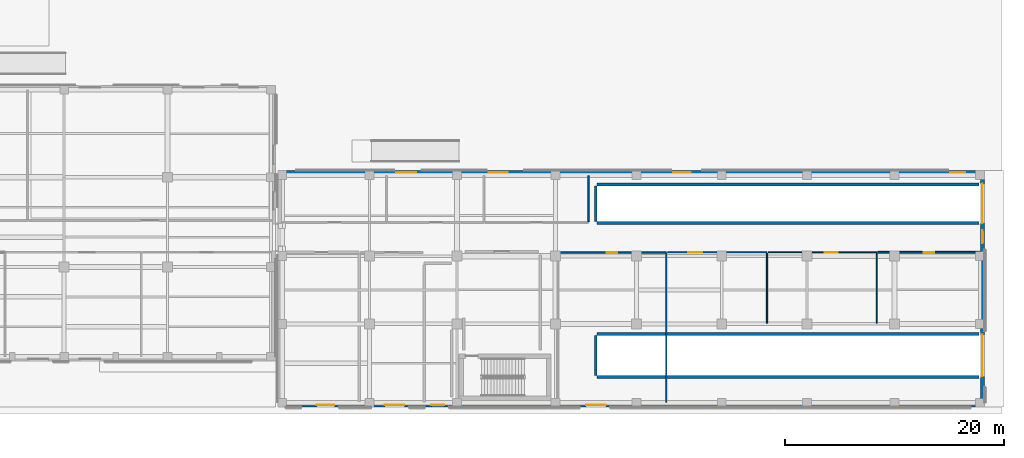
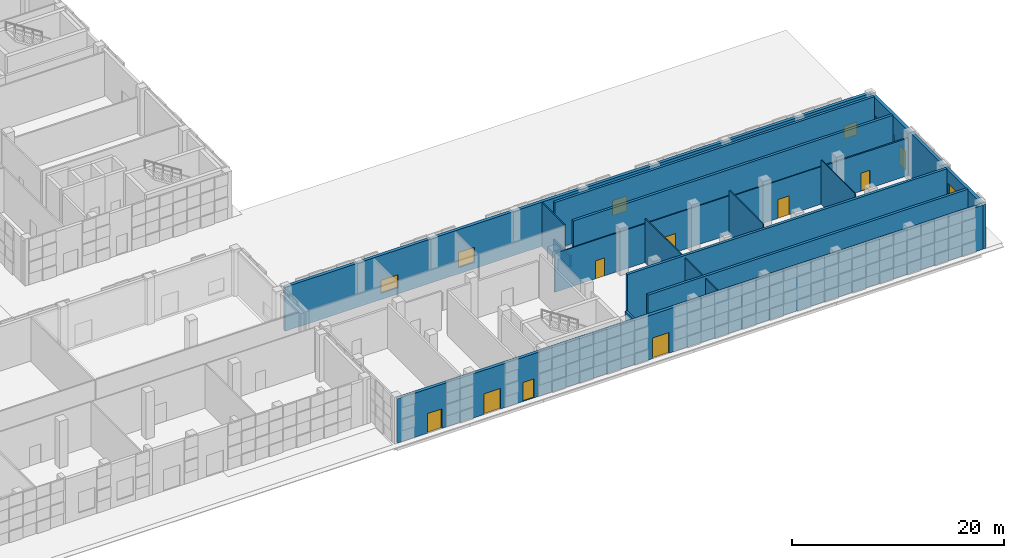
# One storey, part 17 of 40: 17 walls, 11 doors, 4 windows, 15 openings.
"""IFC4 building model written with IfcOpenShell, lengths in metres."""

from ifc_helpers import new_model, si_unit, direction, frame, frame_2d, origin, place, context, subcontext, project, spatial, rectangle, extrude, material, layer, layer_set, type_object, element, fill, save


model = new_model("IFC4")

# Units and contexts
model_context = context("Model", 3, precision=1e-05, world=origin(), true_north=direction((0.0, 1.0)))
body_context = subcontext(model_context, "Body", "Model", "MODEL_VIEW")
ifc_project = project(units=[si_unit("LENGTHUNIT", "METRE"), si_unit("AREAUNIT", "SQUARE_METRE"), si_unit("VOLUMEUNIT", "CUBIC_METRE"), si_unit("PLANEANGLEUNIT", "RADIAN"), si_unit("MASSUNIT", "GRAM", prefix="KILO")], contexts=[model_context])

# Site, building, storey
site_placement = place(None, origin())
site = spatial("IfcSite", under=ifc_project, at=site_placement, CompositionType="ELEMENT")
building_placement = place(site_placement, origin())
building = spatial("IfcBuilding", under=site, at=building_placement, Name="Qalavern Law Courts", CompositionType="ELEMENT")
storey_placement = place(building_placement, origin())
storey = spatial("IfcBuildingStorey", under=building, at=storey_placement, Name="L00", CompositionType="ELEMENT", Elevation=0.0)

# Wall, openings, doors
ifc_material_1 = material(Name="Concrete C40/50", Category="concrete")
ifc_layer_1 = layer(ifc_material_1, 0.340087890625)
ifc_layer_set_1 = layer_set([ifc_layer_1], Name="Concrete C40/50")
wall_type_1 = type_object("IfcWallType", Name="ENV-EW-340", PredefinedType="SOLIDWALL", material=ifc_layer_set_1)
wall_1_placement = place(storey_placement, frame((101.7548828125, 1.169921875, 0.0), z_axis=(0.0, 0.0, 1.0), x_axis=(1.0, 0.0, 0.0)))
wall_1 = element("IfcWall", 1, at=wall_1_placement, inside=storey, type_object=wall_type_1, Name="V6 exterior wall L00 south 1", PredefinedType="SOLIDWALL", context=body_context, shape_type="SweptSolid", body=[
    extrude(rectangle(XDim=63.91015625, YDim=0.340087890625, at=frame_2d((31.955078125, 0.0))), origin(), (0.0, 0.0, 1.0), 5.10009765625),
])
opening_1_placement = place(wall_1_placement, frame((3.2451171875, 0.0, 0.0)))
opening_1 = element("IfcOpeningElement", 2, at=opening_1_placement, cuts=wall_1, Name="Opening ED-FCR-01", PredefinedType="OPENING", context=body_context, shape_type="SweptSolid", body=[
    extrude(rectangle(XDim=1.60009765625, YDim=2.260009765625, at=frame_2d((0.800048828125, 1.1298828125))), frame((0.0, 0.18505859375, 0.0), z_axis=(0.0, -1.0, 0.0), x_axis=(1.0, 0.0, 0.0)), (0.0, 0.0, 1.0), 0.369873046875),
])
opening_2_placement = place(wall_1_placement, frame((9.445068359375, 0.0, 0.0)))
opening_2 = element("IfcOpeningElement", 3, at=opening_2_placement, cuts=wall_1, Name="Opening ED-MED-V6A", PredefinedType="OPENING", context=body_context, shape_type="SweptSolid", body=[
    extrude(rectangle(XDim=1.800048828125, YDim=2.3798828125, at=frame_2d((0.89990234375, 1.18994140625))), frame((0.0, 0.18505859375, 0.0), z_axis=(0.0, -1.0, 0.0), x_axis=(1.0, 0.0, 0.0)), (0.0, 0.0, 1.0), 0.369873046875),
])
opening_3_placement = place(wall_1_placement, frame((13.695068359375, 0.0, 0.0)))
opening_3 = element("IfcOpeningElement", 4, at=opening_3_placement, cuts=wall_1, Name="Opening ED-ST-K5", PredefinedType="OPENING", context=body_context, shape_type="SweptSolid", body=[
    extrude(rectangle(XDim=1.199951171875, YDim=2.199951171875, at=frame_2d((0.60009765625, 1.10009765625))), frame((0.0, 0.18505859375, 0.0), z_axis=(0.0, -1.0, 0.0), x_axis=(1.0, 0.0, 0.0)), (0.0, 0.0, 1.0), 0.369873046875),
])
opening_4_placement = place(wall_1_placement, frame((27.844970703125, 0.0, 0.0)))
opening_4 = element("IfcOpeningElement", 5, at=opening_4_placement, cuts=wall_1, Name="Opening ED-MED-V6", PredefinedType="OPENING", context=body_context, shape_type="SweptSolid", body=[
    extrude(rectangle(XDim=1.800048828125, YDim=2.3798828125, at=frame_2d((0.89990234375, 1.18994140625))), frame((0.0, 0.18505859375, 0.0), z_axis=(0.0, -1.0, 0.0), x_axis=(1.0, 0.0, 0.0)), (0.0, 0.0, 1.0), 0.369873046875),
])
ifc_material_2 = material(Name="Thermally broken anodised aluminium and laminated safety glass", Category="aluminium")
door_type_1 = type_object("IfcDoorType", Name="ENV-ED-1200x2200", OperationType="NOTDEFINED", PredefinedType="DOOR", material=ifc_material_2)
door_1_placement = place(opening_3_placement, frame((1.199951171875, 0.0, 0.0), z_axis=(0.0, 0.0, 1.0), x_axis=(-1.0, 0.0, 0.0)))
door_1 = element("IfcDoor", 6, at=door_1_placement, inside=storey, type_object=door_type_1, Name="Ground pedestrian exit door ED-ST-K5", OperationType="SINGLE_SWING_LEFT", OverallHeight=2.199951171875, OverallWidth=1.199951171875, PredefinedType="DOOR", context=body_context, shape_type="SweptSolid", body=[
    extrude(rectangle(XDim=1.199951171875, YDim=2.199951171875, at=frame_2d((0.60009765625, 1.10009765625))), frame((0.0, 0.02490234375, 0.0), z_axis=(0.0, -1.0, 0.0), x_axis=(1.0, 0.0, 0.0)), (0.0, 0.0, 1.0), 0.050048828125),
])
fill(opening_3, door_1)
door_type_2 = type_object("IfcDoorType", Name="ENV-ED-1600x2260", OperationType="DOUBLE_DOOR_SINGLE_SWING", PredefinedType="DOOR", material=ifc_material_2)
door_2_placement = place(opening_1_placement, frame((1.60009765625, 0.0, 0.0), z_axis=(0.0, 0.0, 1.0), x_axis=(-1.0, 0.0, 0.0)))
door_2 = element("IfcDoor", 7, at=door_2_placement, inside=storey, type_object=door_type_2, Name="Ground pedestrian exit door ED-FCR-01", OperationType="DOUBLE_DOOR_SINGLE_SWING", OverallHeight=2.260009765625, OverallWidth=1.60009765625, PredefinedType="DOOR", context=body_context, shape_type="SweptSolid", body=[
    extrude(rectangle(XDim=1.60009765625, YDim=2.260009765625, at=frame_2d((0.800048828125, 1.1298828125))), frame((0.0, 0.02490234375, 0.0), z_axis=(0.0, -1.0, 0.0), x_axis=(1.0, 0.0, 0.0)), (0.0, 0.0, 1.0), 0.050048828125),
])
fill(opening_1, door_2)
door_type_3 = type_object("IfcDoorType", Name="ENV-ED-1800x2380", OperationType="DOUBLE_DOOR_SINGLE_SWING", PredefinedType="DOOR", material=ifc_material_2)
door_3_placement = place(opening_2_placement, frame((1.800048828125, 0.0, 0.0), z_axis=(0.0, 0.0, 1.0), x_axis=(-1.0, 0.0, 0.0)))
door_3 = element("IfcDoor", 8, at=door_3_placement, inside=storey, type_object=door_type_3, Name="Ground pedestrian exit door ED-MED-V6A", OperationType="DOUBLE_DOOR_SINGLE_SWING", OverallHeight=2.3798828125, OverallWidth=1.800048828125, PredefinedType="DOOR", context=body_context, shape_type="SweptSolid", body=[
    extrude(rectangle(XDim=1.800048828125, YDim=2.3798828125, at=frame_2d((0.89990234375, 1.18994140625))), frame((0.0, 0.02490234375, 0.0), z_axis=(0.0, -1.0, 0.0), x_axis=(1.0, 0.0, 0.0)), (0.0, 0.0, 1.0), 0.050048828125),
])
fill(opening_2, door_3)
door_4_placement = place(opening_4_placement, frame((1.800048828125, 0.0, 0.0), z_axis=(0.0, 0.0, 1.0), x_axis=(-1.0, 0.0, 0.0)))
door_4 = element("IfcDoor", 9, at=door_4_placement, inside=storey, type_object=door_type_3, Name="Ground pedestrian exit door ED-MED-V6", OperationType="DOUBLE_DOOR_SINGLE_SWING", OverallHeight=2.3798828125, OverallWidth=1.800048828125, PredefinedType="DOOR", context=body_context, shape_type="SweptSolid", body=[
    extrude(rectangle(XDim=1.800048828125, YDim=2.3798828125, at=frame_2d((0.89990234375, 1.18994140625))), frame((0.0, 0.02490234375, 0.0), z_axis=(0.0, -1.0, 0.0), x_axis=(1.0, 0.0, 0.0)), (0.0, 0.0, 1.0), 0.050048828125),
])
fill(opening_4, door_4)

wall_2_placement = place(storey_placement, frame((165.830078125, 1.0, 0.0), z_axis=(0.0, 0.0, 1.0), x_axis=(0.0, 1.0, 0.0)))
wall_2 = element("IfcWall", 10, at=wall_2_placement, inside=storey, type_object=wall_type_1, Name="V6 exterior wall L00 east 1", PredefinedType="SOLIDWALL", context=body_context, shape_type="SweptSolid", body=[
    extrude(rectangle(XDim=21.60009765625, YDim=0.340087890625, at=frame_2d((10.800048828125, 0.0))), origin(), (0.0, 0.0, 1.0), 5.10009765625),
])
opening_5_placement = place(wall_2_placement, frame((16.800048828125, 0.0, 0.0)))
opening_5 = element("IfcOpeningElement", 11, at=opening_5_placement, cuts=wall_2, Name="Opening VG-01", PredefinedType="OPENING", context=body_context, shape_type="SweptSolid", body=[
    extrude(rectangle(XDim=3.60009765625, YDim=3.0, at=frame_2d((1.800048828125, 1.5))), frame((0.0, 0.18505859375, 0.0), z_axis=(0.0, -1.0, 0.0), x_axis=(1.0, 0.0, 0.0)), (0.0, 0.0, 1.0), 0.369873046875),
])
opening_6_placement = place(wall_2_placement, frame((2.800048828125, 0.0, 0.0)))
opening_6 = element("IfcOpeningElement", 12, at=opening_6_placement, cuts=wall_2, Name="Opening VG-02", PredefinedType="OPENING", context=body_context, shape_type="SweptSolid", body=[
    extrude(rectangle(XDim=3.800048828125, YDim=3.60009765625, at=frame_2d((1.89990234375, 1.800048828125))), frame((0.0, 0.18505859375, 0.0), z_axis=(0.0, -1.0, 0.0), x_axis=(1.0, 0.0, 0.0)), (0.0, 0.0, 1.0), 0.369873046875),
])
opening_7_placement = place(wall_2_placement, frame((14.949951171875, 0.0, 0.0)))
opening_7 = element("IfcOpeningElement", 13, at=opening_7_placement, cuts=wall_2, Name="Opening ED-CORR-V6E", PredefinedType="OPENING", context=body_context, shape_type="SweptSolid", body=[
    extrude(rectangle(XDim=1.199951171875, YDim=2.199951171875, at=frame_2d((0.60009765625, 1.10009765625))), frame((0.0, 0.18505859375, 0.0), z_axis=(0.0, -1.0, 0.0), x_axis=(1.0, 0.0, 0.0)), (0.0, 0.0, 1.0), 0.369873046875),
])
door_5_placement = place(opening_7_placement, frame((1.199951171875, 0.0, 0.0), z_axis=(0.0, 0.0, 1.0), x_axis=(-1.0, 0.0, 0.0)))
door_5 = element("IfcDoor", 14, at=door_5_placement, inside=storey, type_object=door_type_1, Name="Ground pedestrian exit door ED-CORR-V6E", OperationType="SINGLE_SWING_LEFT", OverallHeight=2.199951171875, OverallWidth=1.199951171875, PredefinedType="DOOR", context=body_context, shape_type="SweptSolid", body=[
    extrude(rectangle(XDim=1.199951171875, YDim=2.199951171875, at=frame_2d((0.60009765625, 1.10009765625))), frame((0.0, 0.02490234375, 0.0), z_axis=(0.0, -1.0, 0.0), x_axis=(1.0, 0.0, 0.0)), (0.0, 0.0, 1.0), 0.050048828125),
])
fill(opening_7, door_5)
ifc_material_3 = material(Name="Galvanised steel insulated security slats", Category="steel")
door_type_4 = type_object("IfcDoorType", Name="ENV-VG-3600x3000", OperationType="ROLLINGUP", PredefinedType="DOOR", material=ifc_material_3)
door_6_placement = place(opening_5_placement, frame((3.60009765625, 0.0, 0.0), z_axis=(0.0, 0.0, 1.0), x_axis=(-1.0, 0.0, 0.0)))
door_6 = element("IfcDoor", 15, at=door_6_placement, inside=storey, type_object=door_type_4, Name="Vehicle ramp roller shutter gate VG-01", OperationType="ROLLINGUP", OverallHeight=3.0, OverallWidth=3.60009765625, PredefinedType="DOOR", context=body_context, shape_type="SweptSolid", body=[
    extrude(rectangle(XDim=3.60009765625, YDim=3.0, at=frame_2d((1.800048828125, 1.5))), frame((0.0, 0.02490234375, 0.0), z_axis=(0.0, -1.0, 0.0), x_axis=(1.0, 0.0, 0.0)), (0.0, 0.0, 1.0), 0.050048828125),
])
fill(opening_5, door_6)
door_type_5 = type_object("IfcDoorType", Name="ENV-VG-3800x3600", OperationType="ROLLINGUP", PredefinedType="DOOR", material=ifc_material_3)
door_7_placement = place(opening_6_placement, frame((3.800048828125, 0.0, 0.0), z_axis=(0.0, 0.0, 1.0), x_axis=(-1.0, 0.0, 0.0)))
door_7 = element("IfcDoor", 16, at=door_7_placement, inside=storey, type_object=door_type_5, Name="Vehicle ramp roller shutter gate VG-02", OperationType="ROLLINGUP", OverallHeight=3.60009765625, OverallWidth=3.800048828125, PredefinedType="DOOR", context=body_context, shape_type="SweptSolid", body=[
    extrude(rectangle(XDim=3.800048828125, YDim=3.60009765625, at=frame_2d((1.89990234375, 1.800048828125))), frame((0.0, 0.02490234375, 0.0), z_axis=(0.0, -1.0, 0.0), x_axis=(1.0, 0.0, 0.0)), (0.0, 0.0, 1.0), 0.050048828125),
])
fill(opening_6, door_7)

# Wall, openings, windows
wall_3_placement = place(storey_placement, frame((165.6650390625, 22.429931640625, 0.0), z_axis=(0.0, 0.0, 1.0), x_axis=(-1.0, 0.0, 0.0)))
wall_3 = element("IfcWall", 17, at=wall_3_placement, inside=storey, type_object=wall_type_1, Name="V6 exterior wall L00 north 1", PredefinedType="SOLIDWALL", context=body_context, shape_type="SweptSolid", body=[
    extrude(rectangle(XDim=63.91015625, YDim=0.340087890625, at=frame_2d((31.955078125, 0.0))), origin(), (0.0, 0.0, 1.0), 5.10009765625),
])
opening_8_placement = place(wall_3_placement, frame((1.39990234375, 0.0, 0.719970703125)))
opening_8 = element("IfcOpeningElement", 18, at=opening_8_placement, cuts=wall_3, Name="Opening WN-03", PredefinedType="OPENING", context=body_context, shape_type="SweptSolid", body=[
    extrude(rectangle(XDim=1.39990234375, YDim=1.5, at=frame_2d((0.699951171875, 0.75))), frame((0.0, 0.18505859375, 0.0), z_axis=(0.0, -1.0, 0.0), x_axis=(1.0, 0.0, 0.0)), (0.0, 0.0, 1.0), 0.369873046875),
])
opening_9_placement = place(wall_3_placement, frame((26.5, 0.0, 0.719970703125)))
opening_9 = element("IfcOpeningElement", 19, at=opening_9_placement, cuts=wall_3, Name="Opening WN-12", PredefinedType="OPENING", context=body_context, shape_type="SweptSolid", body=[
    extrude(rectangle(XDim=1.60009765625, YDim=1.75, at=frame_2d((0.800048828125, 0.875))), frame((0.0, 0.18505859375, 0.0), z_axis=(0.0, -1.0, 0.0), x_axis=(1.0, 0.0, 0.0)), (0.0, 0.0, 1.0), 0.369873046875),
])
opening_10_placement = place(wall_3_placement, frame((43.22509765625, 0.0, 0.719970703125)))
opening_10 = element("IfcOpeningElement", 20, at=opening_10_placement, cuts=wall_3, Name="Opening WN-13", PredefinedType="OPENING", context=body_context, shape_type="SweptSolid", body=[
    extrude(rectangle(XDim=1.75, YDim=1.75, at=frame_2d((0.875, 0.875))), frame((0.0, 0.18505859375, 0.0), z_axis=(0.0, -1.0, 0.0), x_axis=(1.0, 0.0, 0.0)), (0.0, 0.0, 1.0), 0.369873046875),
])
opening_11_placement = place(wall_3_placement, frame((51.574951171875, 0.0, 0.719970703125)))
opening_11 = element("IfcOpeningElement", 21, at=opening_11_placement, cuts=wall_3, Name="Opening WN-06", PredefinedType="OPENING", context=body_context, shape_type="SweptSolid", body=[
    extrude(rectangle(XDim=1.85009765625, YDim=1.5, at=frame_2d((0.925048828125, 0.75))), frame((0.0, 0.18505859375, 0.0), z_axis=(0.0, -1.0, 0.0), x_axis=(1.0, 0.0, 0.0)), (0.0, 0.0, 1.0), 0.369873046875),
])
ifc_material_4 = material(Name="Anodised aluminium frame with low-E double glazing", Category="aluminium")
window_type_1 = type_object("IfcWindowType", Name="ENV-WIN-1400x1500", PartitioningType="SINGLE_PANEL", PredefinedType="WINDOW", material=ifc_material_4)
window_1_placement = place(opening_8_placement, origin())
window_1 = element("IfcWindow", 22, at=window_1_placement, inside=storey, type_object=window_type_1, Name="V6 window L00 north 1", OverallHeight=1.5, OverallWidth=1.39990234375, PartitioningType="SINGLE_PANEL", PredefinedType="WINDOW", context=body_context, shape_type="SweptSolid", body=[
    extrude(rectangle(XDim=1.39990234375, YDim=1.5, at=frame_2d((0.699951171875, 0.75))), frame((0.0, 0.030029296875, 0.0), z_axis=(0.0, -1.0, 0.0), x_axis=(1.0, 0.0, 0.0)), (0.0, 0.0, 1.0), 0.06005859375),
])
fill(opening_8, window_1)
window_type_2 = type_object("IfcWindowType", Name="ENV-WIN-1600x1750", PartitioningType="SINGLE_PANEL", PredefinedType="WINDOW", material=ifc_material_4)
window_2_placement = place(opening_9_placement, origin())
window_2 = element("IfcWindow", 23, at=window_2_placement, inside=storey, type_object=window_type_2, Name="V6 window L00 north 7", OverallHeight=1.75, OverallWidth=1.60009765625, PartitioningType="SINGLE_PANEL", PredefinedType="WINDOW", context=body_context, shape_type="SweptSolid", body=[
    extrude(rectangle(XDim=1.60009765625, YDim=1.75, at=frame_2d((0.800048828125, 0.875))), frame((0.0, 0.030029296875, 0.0), z_axis=(0.0, -1.0, 0.0), x_axis=(1.0, 0.0, 0.0)), (0.0, 0.0, 1.0), 0.06005859375),
])
fill(opening_9, window_2)
window_type_3 = type_object("IfcWindowType", Name="ENV-WIN-1750x1750", PartitioningType="SINGLE_PANEL", PredefinedType="WINDOW", material=ifc_material_4)
window_3_placement = place(opening_10_placement, origin())
window_3 = element("IfcWindow", 24, at=window_3_placement, inside=storey, type_object=window_type_3, Name="V6 window L00 north 11", OverallHeight=1.75, OverallWidth=1.75, PartitioningType="SINGLE_PANEL", PredefinedType="WINDOW", context=body_context, shape_type="SweptSolid", body=[
    extrude(rectangle(XDim=1.75, YDim=1.75, at=frame_2d((0.875, 0.875))), frame((0.0, 0.030029296875, 0.0), z_axis=(0.0, -1.0, 0.0), x_axis=(1.0, 0.0, 0.0)), (0.0, 0.0, 1.0), 0.06005859375),
])
fill(opening_10, window_3)
window_type_4 = type_object("IfcWindowType", Name="ENV-WIN-1850x1500", PartitioningType="SINGLE_PANEL", PredefinedType="WINDOW", material=ifc_material_4)
window_4_placement = place(opening_11_placement, origin())
window_4 = element("IfcWindow", 25, at=window_4_placement, inside=storey, type_object=window_type_4, Name="V6 window L00 north 13", OverallHeight=1.5, OverallWidth=1.85009765625, PartitioningType="SINGLE_PANEL", PredefinedType="WINDOW", context=body_context, shape_type="SweptSolid", body=[
    extrude(rectangle(XDim=1.85009765625, YDim=1.5, at=frame_2d((0.925048828125, 0.75))), frame((0.0, 0.030029296875, 0.0), z_axis=(0.0, -1.0, 0.0), x_axis=(1.0, 0.0, 0.0)), (0.0, 0.0, 1.0), 0.06005859375),
])
fill(opening_11, window_4)

# Walls
ifc_layer_2 = layer(ifc_material_1, 0.22509765625)
ifc_layer_set_2 = layer_set([ifc_layer_2], Name="Concrete C40/50")
wall_type_2 = type_object("IfcWallType", Name="INT-FW-225", PredefinedType="PARTITIONING", material=ifc_layer_set_2)
wall_4_placement = place(storey_placement, frame((130.47998046875, 17.97998046875, 0.0), z_axis=(0.0, 0.0, 1.0), x_axis=(0.0, 1.0, 0.0)))
element("IfcWall", 26, at=wall_4_placement, inside=storey, type_object=wall_type_2, Name="Car Park Vehicle Ramp VG-01 Upper opening head guard wall L00", PredefinedType="PARTITIONING", context=body_context, shape_type="SweptSolid", body=[
    extrude(rectangle(XDim=3.239990234375, YDim=0.22509765625, at=frame_2d((1.6201171875, 0.0))), origin(), (0.0, 0.0, 1.0), 1.25),
])
wall_5_placement = place(storey_placement, frame((130.47998046875, 3.8798828125, 0.0), z_axis=(0.0, 0.0, 1.0), x_axis=(0.0, 1.0, 0.0)))
element("IfcWall", 27, at=wall_5_placement, inside=storey, type_object=wall_type_2, Name="Secure Sallyport Vehicle Ramp VG-02 opening head guard wall L00", PredefinedType="PARTITIONING", context=body_context, shape_type="SweptSolid", body=[
    extrude(rectangle(XDim=3.64013671875, YDim=0.22509765625, at=frame_2d((1.820068359375, 0.0))), origin(), (0.0, 0.0, 1.0), 1.25),
])

# Wall, opening, door
ifc_material_5 = material(Name="Gypsum sanitary partition")
ifc_layer_3 = layer(ifc_material_5, 0.10205078125)
ifc_layer_set_3 = layer_set([ifc_layer_3], Name="Gypsum sanitary partition")
wall_type_3 = type_object("IfcWallType", Name="INT-PW-102", PredefinedType="PARTITIONING", material=ifc_layer_set_3)
wall_6_placement = place(storey_placement, frame((146.251953125, 15.139892578125, 0.0), z_axis=(0.0, 0.0, 1.0), x_axis=(1.0, 0.0, 0.0)))
wall_6 = element("IfcWall", 28, at=wall_6_placement, inside=storey, type_object=wall_type_3, Name="Security Control Office corridor partition L00", PredefinedType="PARTITIONING", context=body_context, shape_type="SweptSolid", body=[
    extrude(rectangle(XDim=9.907958984375, YDim=0.10205078125, at=frame_2d((4.9541015625, 0.0))), origin(), (0.0, 0.0, 1.0), 4.330078125),
])
opening_12_placement = place(wall_6_placement, frame((5.14404296875, 0.0, 0.0)))
opening_12 = element("IfcOpeningElement", 29, at=opening_12_placement, cuts=wall_6, Name="Opening L00-D416", PredefinedType="OPENING", context=body_context, shape_type="SweptSolid", body=[
    extrude(rectangle(XDim=1.219970703125, YDim=2.179931640625, at=frame_2d((0.60986328125, 1.08984375))), frame((0.0, 0.06591796875, 0.0), z_axis=(0.0, -1.0, 0.0), x_axis=(1.0, 0.0, 0.0)), (0.0, 0.0, 1.0), 0.1318359375),
])
ifc_material_6 = material(Name="Wide oak Plenary Boardroom door")
door_type_6 = type_object("IfcDoorType", Name="INT-ID-1220x2180", OperationType="NOTDEFINED", PredefinedType="DOOR", material=ifc_material_6)
door_8_placement = place(opening_12_placement, frame((1.219970703125, 0.0, 0.0), z_axis=(0.0, 0.0, 1.0), x_axis=(-1.0, 0.0, 0.0)))
door_8 = element("IfcDoor", 30, at=door_8_placement, inside=storey, type_object=door_type_6, Name="Security Control Office door L00", OperationType="SINGLE_SWING_LEFT", OverallHeight=2.179931640625, OverallWidth=1.219970703125, PredefinedType="DOOR", context=body_context, shape_type="SweptSolid", body=[
    extrude(rectangle(XDim=1.219970703125, YDim=2.179931640625, at=frame_2d((0.60986328125, 1.08984375))), frame((0.0, 0.02490234375, 0.0), z_axis=(0.0, -1.0, 0.0), x_axis=(1.0, 0.0, 0.0)), (0.0, 0.0, 1.0), 0.050048828125),
])
fill(opening_12, door_8)

# Wall
wall_7_placement = place(storey_placement, frame((156.159912109375, 8.64990234375, 0.0), z_axis=(0.0, 0.0, 1.0), x_axis=(0.0, 1.0, 0.0)))
element("IfcWall", 31, at=wall_7_placement, inside=storey, type_object=wall_type_3, Name="Security Control Office cross partition L00 east", PredefinedType="PARTITIONING", context=body_context, shape_type="SweptSolid", body=[
    extrude(rectangle(XDim=6.419189453125, YDim=0.10205078125, at=frame_2d((3.20947265625, 0.0))), origin(), (0.0, 0.0, 1.0), 5.10009765625),
])

# Wall, opening, door
ifc_material_7 = material(Name="Gypsum stud partition")
ifc_layer_4 = layer(ifc_material_7, 0.112060546875)
ifc_layer_set_4 = layer_set([ifc_layer_4], Name="Gypsum stud partition")
wall_type_4 = type_object("IfcWallType", Name="INT-PW-112", PredefinedType="PARTITIONING", material=ifc_layer_set_4)
wall_8_placement = place(storey_placement, frame((137.050048828125, 15.139892578125, 0.0), z_axis=(0.0, 0.0, 1.0), x_axis=(1.0, 0.0, 0.0)))
wall_8 = element("IfcWall", 32, at=wall_8_placement, inside=storey, type_object=wall_type_4, Name="Legal Aid Clinic corridor partition L00", PredefinedType="PARTITIONING", context=body_context, shape_type="SweptSolid", body=[
    extrude(rectangle(XDim=9.08203125, YDim=0.112060546875, at=frame_2d((4.541015625, 0.0))), origin(), (0.0, 0.0, 1.0), 4.47998046875),
])
opening_13_placement = place(wall_8_placement, frame((1.90087890625, 0.0, 0.0)))
opening_13 = element("IfcOpeningElement", 33, at=opening_13_placement, cuts=wall_8, Name="Opening L00-D415", PredefinedType="OPENING", context=body_context, shape_type="SweptSolid", body=[
    extrude(rectangle(XDim=1.280029296875, YDim=2.179931640625, at=frame_2d((0.64013671875, 1.08984375))), frame((0.0, 0.07080078125, 0.0), z_axis=(0.0, -1.0, 0.0), x_axis=(1.0, 0.0, 0.0)), (0.0, 0.0, 1.0), 0.141845703125),
])
ifc_material_8 = material(Name="Wide oak Judicial Conference door")
door_type_7 = type_object("IfcDoorType", Name="INT-ID-1280x2180", OperationType="NOTDEFINED", PredefinedType="DOOR", material=ifc_material_8)
door_9_placement = place(opening_13_placement, frame((1.280029296875, 0.0, 0.0), z_axis=(0.0, 0.0, 1.0), x_axis=(-1.0, 0.0, 0.0)))
door_9 = element("IfcDoor", 34, at=door_9_placement, inside=storey, type_object=door_type_7, Name="Legal Aid Clinic door L00", OperationType="SINGLE_SWING_RIGHT", OverallHeight=2.179931640625, OverallWidth=1.280029296875, PredefinedType="DOOR", context=body_context, shape_type="SweptSolid", body=[
    extrude(rectangle(XDim=1.280029296875, YDim=2.179931640625, at=frame_2d((0.64013671875, 1.08984375))), frame((0.0, 0.02490234375, 0.0), z_axis=(0.0, -1.0, 0.0), x_axis=(1.0, 0.0, 0.0)), (0.0, 0.0, 1.0), 0.050048828125),
])
fill(opening_13, door_9)

# Wall
wall_9_placement = place(storey_placement, frame((146.132080078125, 8.64990234375, 0.0), z_axis=(0.0, 0.0, 1.0), x_axis=(0.0, 1.0, 0.0)))
element("IfcWall", 35, at=wall_9_placement, inside=storey, type_object=wall_type_4, Name="Legal Aid Clinic cross partition L00 east", PredefinedType="PARTITIONING", context=body_context, shape_type="SweptSolid", body=[
    extrude(rectangle(XDim=6.4140625, YDim=0.112060546875, at=frame_2d((3.20703125, 0.0))), origin(), (0.0, 0.0, 1.0), 5.10009765625),
])

# Wall, opening, door
ifc_layer_5 = layer(ifc_material_7, 0.1220703125)
ifc_layer_set_5 = layer_set([ifc_layer_5], Name="Gypsum stud partition")
wall_type_5 = type_object("IfcWallType", Name="INT-PW-122", PredefinedType="PARTITIONING", material=ifc_layer_set_5)
wall_10_placement = place(storey_placement, frame((127.0400390625, 15.139892578125, 0.0), z_axis=(0.0, 0.0, 1.0), x_axis=(1.0, 0.0, 0.0)))
wall_10 = element("IfcWall", 36, at=wall_10_placement, inside=storey, type_object=wall_type_5, Name="Mediation Suite corridor partition L00", PredefinedType="PARTITIONING", context=body_context, shape_type="SweptSolid", body=[
    extrude(rectangle(XDim=9.889892578125, YDim=0.1220703125, at=frame_2d((4.94482421875, 0.0))), origin(), (0.0, 0.0, 1.0), 4.47998046875),
])
opening_14_placement = place(wall_10_placement, frame((4.465087890625, 0.0, 0.0)))
opening_14 = element("IfcOpeningElement", 37, at=opening_14_placement, cuts=wall_10, Name="Opening L00-D414", PredefinedType="OPENING", context=body_context, shape_type="SweptSolid", body=[
    extrude(rectangle(XDim=0.9599609375, YDim=2.080078125, at=frame_2d((0.47998046875, 1.0400390625))), frame((0.0, 0.075927734375, 0.0), z_axis=(0.0, -1.0, 0.0), x_axis=(1.0, 0.0, 0.0)), (0.0, 0.0, 1.0), 0.15185546875),
])
ifc_material_9 = material(Name="Timber Counsel Consultation door", Category="wood")
door_type_8 = type_object("IfcDoorType", Name="INT-ID-960x2080", OperationType="NOTDEFINED", PredefinedType="DOOR", material=ifc_material_9)
door_10_placement = place(opening_14_placement, frame((0.9599609375, 0.0, 0.0), z_axis=(0.0, 0.0, 1.0), x_axis=(-1.0, 0.0, 0.0)))
door_10 = element("IfcDoor", 38, at=door_10_placement, inside=storey, type_object=door_type_8, Name="Mediation Suite door L00", OperationType="SINGLE_SWING_LEFT", OverallHeight=2.080078125, OverallWidth=0.9599609375, PredefinedType="DOOR", context=body_context, shape_type="SweptSolid", body=[
    extrude(rectangle(XDim=0.9599609375, YDim=2.080078125, at=frame_2d((0.47998046875, 1.0400390625))), frame((0.0, 0.02490234375, 0.0), z_axis=(0.0, -1.0, 0.0), x_axis=(1.0, 0.0, 0.0)), (0.0, 0.0, 1.0), 0.050048828125),
])
fill(opening_14, door_10)

# Walls
wall_11_placement = place(storey_placement, frame((136.929931640625, 1.43994140625, 0.0), z_axis=(0.0, 0.0, 1.0), x_axis=(0.0, 1.0, 0.0)))
element("IfcWall", 39, at=wall_11_placement, inside=storey, type_object=wall_type_5, Name="Mediation Suite cross partition L00 east", PredefinedType="PARTITIONING", context=body_context, shape_type="SweptSolid", body=[
    extrude(rectangle(XDim=13.619140625, YDim=0.1220703125, at=frame_2d((6.8095703125, 0.0))), origin(), (0.0, 0.0, 1.0), 5.10009765625),
])
wall_12_placement = place(storey_placement, frame((129.81005859375, 17.94091796875, 0.0), z_axis=(0.0, 0.0, 1.0), x_axis=(0.0, 1.0, 0.0)))
element("IfcWall", 40, at=wall_12_placement, inside=storey, type_object=wall_type_5, Name="Accessible WC cross partition L00 east", PredefinedType="PARTITIONING", context=body_context, shape_type="SweptSolid", body=[
    extrude(rectangle(XDim=4.218994140625, YDim=0.1220703125, at=frame_2d((2.109375, 0.0))), origin(), (0.0, 0.0, 1.0), 5.10009765625),
])

# Wall, opening, door
ifc_layer_6 = layer(ifc_material_7, 0.162109375)
ifc_layer_set_6 = layer_set([ifc_layer_6], Name="Gypsum stud partition")
wall_type_6 = type_object("IfcWallType", Name="INT-PW-162", PredefinedType="PARTITIONING", material=ifc_layer_set_6)
wall_13_placement = place(storey_placement, frame((156.280029296875, 15.139892578125, 0.0), z_axis=(0.0, 0.0, 1.0), x_axis=(1.0, 0.0, 0.0)))
wall_13 = element("IfcWall", 41, at=wall_13_placement, inside=storey, type_object=wall_type_6, Name="Accessible WC corridor partition L00", PredefinedType="PARTITIONING", context=body_context, shape_type="SweptSolid", body=[
    extrude(rectangle(XDim=9.340087890625, YDim=0.162109375, at=frame_2d((4.669921875, 0.0))), origin(), (0.0, 0.0, 1.0), 4.330078125),
])
opening_15_placement = place(wall_13_placement, frame((4.199951171875, 0.0, 0.0)))
opening_15 = element("IfcOpeningElement", 42, at=opening_15_placement, cuts=wall_13, Name="Opening L00-D417", PredefinedType="OPENING", context=body_context, shape_type="SweptSolid", body=[
    extrude(rectangle(XDim=0.93994140625, YDim=2.070068359375, at=frame_2d((0.469970703125, 1.03515625))), frame((0.0, 0.095947265625, 0.0), z_axis=(0.0, -1.0, 0.0), x_axis=(1.0, 0.0, 0.0)), (0.0, 0.0, 1.0), 0.19189453125),
])
ifc_material_10 = material(Name="Accessible WC outward-clear door")
door_type_9 = type_object("IfcDoorType", Name="INT-ID-940x2070", OperationType="NOTDEFINED", PredefinedType="DOOR", material=ifc_material_10)
door_11_placement = place(opening_15_placement, frame((0.93994140625, 0.0, 0.0), z_axis=(0.0, 0.0, 1.0), x_axis=(-1.0, 0.0, 0.0)))
door_11 = element("IfcDoor", 43, at=door_11_placement, inside=storey, type_object=door_type_9, Name="Accessible WC door L00", OperationType="SINGLE_SWING_RIGHT", OverallHeight=2.070068359375, OverallWidth=0.93994140625, PredefinedType="DOOR", context=body_context, shape_type="SweptSolid", body=[
    extrude(rectangle(XDim=0.93994140625, YDim=2.070068359375, at=frame_2d((0.469970703125, 1.03515625))), frame((0.0, 0.02490234375, 0.0), z_axis=(0.0, -1.0, 0.0), x_axis=(1.0, 0.0, 0.0)), (0.0, 0.0, 1.0), 0.050048828125),
])
fill(opening_15, door_11)

# Walls
ifc_layer_7 = layer(ifc_material_1, 0.280029296875)
ifc_layer_set_7 = layer_set([ifc_layer_7], Name="Concrete C40/50")
wall_type_7 = type_object("IfcWallType", Name="INT-RMP-280", PredefinedType="SOLIDWALL", material=ifc_layer_set_7)
for number, where, z_axis, x_axis, name in (
    (44, (130.60009765625, 17.840087890625, 0.0), (0.0, 0.0, 1.0), (1.0, 0.0, 0.0), "Car Park Vehicle Ramp VG-01 Upper enclosure wall L00-1"),
    (45, (130.60009765625, 21.360107421875, 0.0), (0.0, 0.0, 1.0), (1.0, 0.0, 0.0), "Car Park Vehicle Ramp VG-01 Upper enclosure wall L00-2"),
    (46, (130.60009765625, 3.739990234375, 0.0), (0.0, 0.0, 1.0), (1.0, 0.0, 0.0), "Secure Sallyport Vehicle Ramp VG-02 enclosure wall L00-1"),
    (47, (130.60009765625, 7.659912109375, 0.0), (0.0, 0.0, 1.0), (1.0, 0.0, 0.0), "Secure Sallyport Vehicle Ramp VG-02 enclosure wall L00-2"),
):
    element("IfcWall", number, at=place(storey_placement, frame(where, z_axis=z_axis, x_axis=x_axis)), inside=storey, type_object=wall_type_7, Name=name, PredefinedType="SOLIDWALL", context=body_context, shape_type="SweptSolid", body=[
        extrude(rectangle(XDim=34.89990234375, YDim=0.280029296875, at=frame_2d((17.449951171875, 0.0))), origin(), (0.0, 0.0, 1.0), 5.39990234375),
    ])

save(model, "model.ifc")
